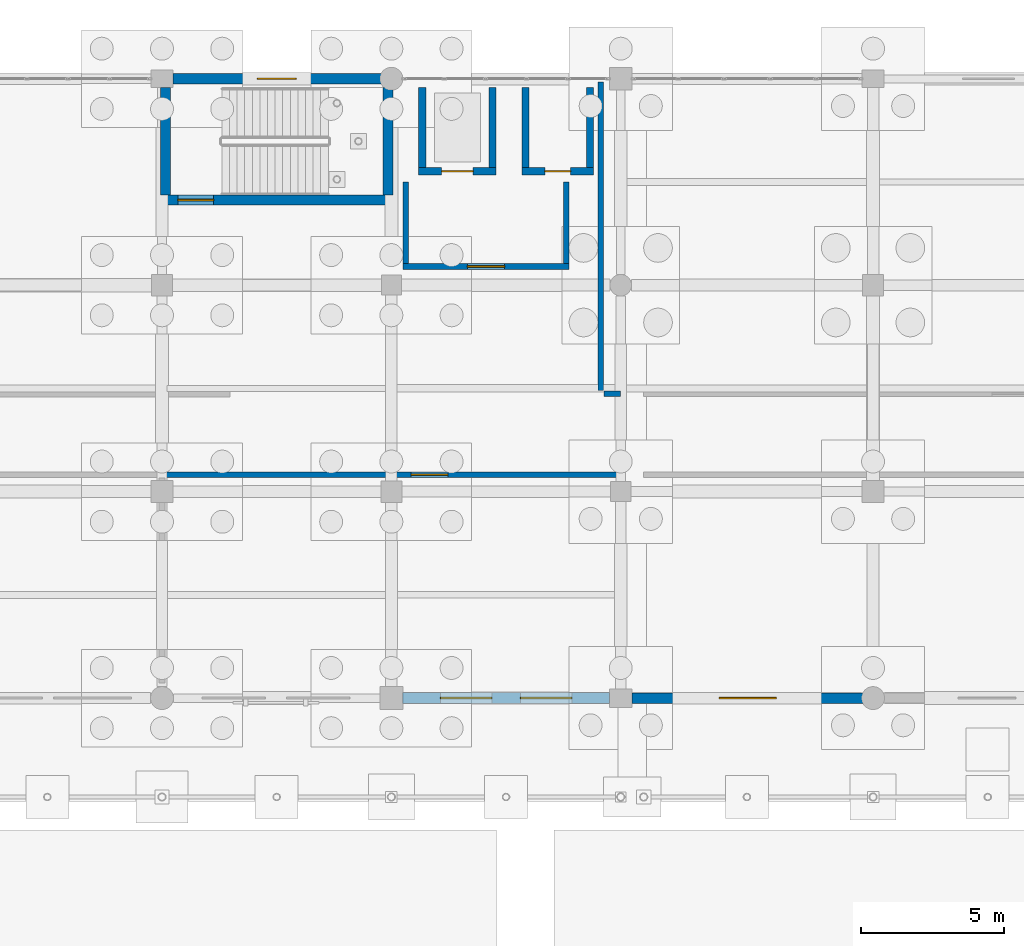
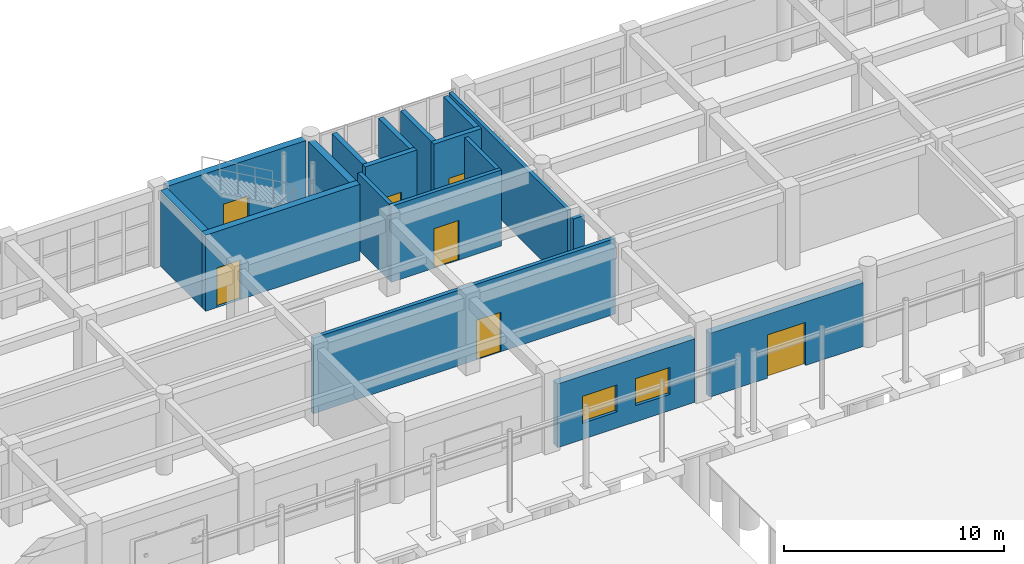
# One storey, part 137 of 166: 18 walls, 7 doors, 2 windows, 9 openings.
"""IFC4 building model written with IfcOpenShell, lengths in metres."""

from ifc_helpers import new_model, si_unit, direction, frame, frame_2d, origin, place, context, subcontext, project, spatial, rectangle, extrude, material, layer, layer_set, type_object, element, fill, save


model = new_model("IFC4")

# Units and contexts
model_context = context("Model", 3, precision=1e-05, world=origin(), true_north=direction((0.0, 1.0)))
body_context = subcontext(model_context, "Body", "Model", "MODEL_VIEW")
ifc_project = project(units=[si_unit("LENGTHUNIT", "METRE"), si_unit("AREAUNIT", "SQUARE_METRE"), si_unit("VOLUMEUNIT", "CUBIC_METRE"), si_unit("PLANEANGLEUNIT", "RADIAN"), si_unit("MASSUNIT", "GRAM", prefix="KILO")], contexts=[model_context])

# Site, building, storey
site_placement = place(None, origin())
site = spatial("IfcSite", under=ifc_project, at=site_placement, CompositionType="ELEMENT")
building_placement = place(site_placement, origin())
building = spatial("IfcBuilding", under=site, at=building_placement, Name="Kharva Crest Polytechnic", CompositionType="ELEMENT")
storey_placement = place(building_placement, origin())
storey = spatial("IfcBuildingStorey", under=building, at=storey_placement, Name="L00", CompositionType="ELEMENT", Elevation=0.0)

# Wall, opening, door
ifc_material_1 = material(Name="Concrete C40/50", Category="concrete")
ifc_layer_1 = layer(ifc_material_1, 0.35009765625, Name="Concrete C40/50")
ifc_layer_set_1 = layer_set([ifc_layer_1], Name="Concrete C40/50")
wall_type_1 = type_object("IfcWallType", Name="WL-CORE-CW1-350", PredefinedType="SHEAR", material=ifc_layer_set_1)
wall_1_placement = place(storey_placement, frame((103.949951171875, 117.764892578125, 0.0), z_axis=(0.0, 0.0, 1.0), x_axis=(1.0, 0.0, 0.0)))
wall_1 = element("IfcWall", 1, at=wall_1_placement, inside=storey, type_object=wall_type_1, Name="L00 North Crest Firefighting Core C4 South Shear Wall", PredefinedType="SHEAR", context=body_context, shape_type="SweptSolid", body=[
    extrude(rectangle(XDim=8.10009765625, YDim=0.35009765625, at=frame_2d((4.050048828125, 0.0))), origin(), (0.0, 0.0, 1.0), 4.219970703125),
])
opening_1_placement = place(wall_1_placement, frame((0.60009765625, 0.0, 0.0)))
opening_1 = element("IfcOpeningElement", 2, at=opening_1_placement, cuts=wall_1, Name="Opening FD1B", PredefinedType="OPENING", context=body_context, shape_type="SweptSolid", body=[
    extrude(rectangle(XDim=1.25, YDim=2.199951171875, at=frame_2d((0.625, 1.10009765625))), frame((0.0, 0.18505859375, 0.0), z_axis=(0.0, -1.0, 0.0), x_axis=(1.0, 0.0, 0.0)), (0.0, 0.0, 1.0), 0.3701171875),
])
ifc_material_2 = material(Name="Teak timber", Category="wood")
door_type_1 = type_object("IfcDoorType", Name="DR-STAIR-1250X2200", OperationType="NOTDEFINED", PredefinedType="DOOR", material=ifc_material_2)
door_1_placement = place(opening_1_placement, origin())
door_1 = element("IfcDoor", 3, at=door_1_placement, inside=storey, type_object=door_type_1, Name="L00 ST-04 Stair Door", OperationType="SINGLE_SWING_LEFT", OverallHeight=2.199951171875, OverallWidth=1.25, PredefinedType="DOOR", context=body_context, shape_type="SweptSolid", body=[
    extrude(rectangle(XDim=1.25, YDim=2.199951171875, at=frame_2d((0.625, 1.10009765625))), frame((0.0, 0.02490234375, 0.0), z_axis=(0.0, -1.0, 0.0), x_axis=(1.0, 0.0, 0.0)), (0.0, 0.0, 1.0), 0.050048828125),
])
fill(opening_1, door_1)

# Walls
for number, where, z_axis, x_axis, name in (
    (4, (104.125, 117.93994140625, 0.0), (0.0, 0.0, 1.0), (0.0, 1.0, 0.0), "L00 North Crest Firefighting Core C4 West Shear Wall"),
    (5, (111.875, 117.93994140625, 0.0), (0.0, 0.0, 1.0), (0.0, 1.0, 0.0), "L00 North Crest Firefighting Core C4 East Shear Wall"),
):
    element("IfcWall", number, at=place(storey_placement, frame(where, z_axis=z_axis, x_axis=x_axis)), inside=storey, type_object=wall_type_1, Name=name, PredefinedType="SHEAR", context=body_context, shape_type="SweptSolid", body=[
        extrude(rectangle(XDim=3.760009765625, YDim=0.35009765625, at=frame_2d((1.8798828125, 0.0))), origin(), (0.0, 0.0, 1.0), 4.219970703125),
    ])

# Wall, opening, door
ifc_material_3 = material(Name="Kiln brick masonry", Category="masonry")
ifc_layer_2 = layer(ifc_material_3, 0.364990234375, Name="Kiln brick masonry")
ifc_layer_set_2 = layer_set([ifc_layer_2], Name="Kiln brick masonry")
wall_type_2 = type_object("IfcWallType", Name="WL-EXT-BRK-365", PredefinedType="SOLIDWALL", material=ifc_layer_set_2)
wall_2_placement = place(storey_placement, frame((120.39501953125, 100.39990234375, 0.0), z_axis=(0.0, 0.0, 1.0), x_axis=(1.0, 0.0, 0.0)))
wall_2 = element("IfcWall", 6, at=wall_2_placement, inside=storey, type_object=wall_type_2, Name="L00 Exterior Brick Wall 89", PredefinedType="SOLIDWALL", context=body_context, shape_type="SweptSolid", body=[
    extrude(rectangle(XDim=8.069091796875, YDim=0.364990234375, at=frame_2d((4.03466796875, 0.0))), origin(), (0.0, 0.0, 1.0), 3.5400390625),
])
opening_2_placement = place(wall_2_placement, frame((3.034912109375, 0.0, 0.0)))
opening_2 = element("IfcOpeningElement", 7, at=opening_2_placement, cuts=wall_2, Name="Opening ED2", PredefinedType="OPENING", context=body_context, shape_type="SweptSolid", body=[
    extrude(rectangle(XDim=2.0, YDim=2.39990234375, at=frame_2d((1.0, 1.199951171875))), frame((0.0, 0.1923828125, 0.0), z_axis=(0.0, -1.0, 0.0), x_axis=(1.0, 0.0, 0.0)), (0.0, 0.0, 1.0), 0.385009765625),
])
ifc_material_4 = material(Name="Anodised aluminium", Category="aluminium")
door_type_2 = type_object("IfcDoorType", Name="DR-EXT-DBL-2000X2400", OperationType="NOTDEFINED", PredefinedType="DOOR", material=ifc_material_4)
door_2_placement = place(opening_2_placement, frame((2.0, 0.0, 0.0), z_axis=(0.0, 0.0, 1.0), x_axis=(-1.0, 0.0, 0.0)))
door_2 = element("IfcDoor", 8, at=door_2_placement, inside=storey, type_object=door_type_2, Name="L00 VER_N_L00 Access Door 20", OperationType="DOUBLE_DOOR_SINGLE_SWING", OverallHeight=2.39990234375, OverallWidth=2.0, PredefinedType="DOOR", context=body_context, shape_type="SweptSolid", body=[
    extrude(rectangle(XDim=2.0, YDim=2.39990234375, at=frame_2d((1.0, 1.199951171875))), frame((0.0, 0.02490234375, 0.0), z_axis=(0.0, -1.0, 0.0), x_axis=(1.0, 0.0, 0.0)), (0.0, 0.0, 1.0), 0.050048828125),
])
fill(opening_2, door_2)

wall_3_placement = place(storey_placement, frame((111.6640625, 122.0, 0.0), z_axis=(0.0, 0.0, 1.0), x_axis=(-1.0, 0.0, 0.0)))
wall_3 = element("IfcWall", 9, at=wall_3_placement, inside=storey, type_object=wall_type_2, Name="L00 Exterior Brick Wall 113", PredefinedType="SOLIDWALL", context=body_context, shape_type="SweptSolid", body=[
    extrude(rectangle(XDim=7.279052734375, YDim=0.364990234375, at=frame_2d((3.6396484375, 0.0))), origin(), (0.0, 0.0, 1.0), 4.219970703125),
])
opening_3_placement = place(wall_3_placement, frame((2.989013671875, 0.0, 0.0)))
opening_3 = element("IfcOpeningElement", 10, at=opening_3_placement, cuts=wall_3, Name="Opening ED6", PredefinedType="OPENING", context=body_context, shape_type="SweptSolid", body=[
    extrude(rectangle(XDim=1.35009765625, YDim=2.199951171875, at=frame_2d((0.675048828125, 1.10009765625))), frame((0.0, 0.1923828125, 0.0), z_axis=(0.0, -1.0, 0.0), x_axis=(1.0, 0.0, 0.0)), (0.0, 0.0, 1.0), 0.385009765625),
])
door_type_3 = type_object("IfcDoorType", Name="DR-EXT-ESC-1350X2200", OperationType="NOTDEFINED", PredefinedType="DOOR", material=ifc_material_4)
door_3_placement = place(opening_3_placement, frame((1.35009765625, 0.0, 0.0), z_axis=(0.0, 0.0, 1.0), x_axis=(-1.0, 0.0, 0.0)))
door_3 = element("IfcDoor", 11, at=door_3_placement, inside=storey, type_object=door_type_3, Name="L00 Core C4 Final Exit Door", OperationType="SINGLE_SWING_RIGHT", OverallHeight=2.199951171875, OverallWidth=1.35009765625, PredefinedType="DOOR", context=body_context, shape_type="SweptSolid", body=[
    extrude(rectangle(XDim=1.35009765625, YDim=2.199951171875, at=frame_2d((0.675048828125, 1.10009765625))), frame((0.0, 0.02490234375, 0.0), z_axis=(0.0, -1.0, 0.0), x_axis=(1.0, 0.0, 0.0)), (0.0, 0.0, 1.0), 0.050048828125),
])
fill(opening_3, door_3)

# Wall, openings, windows
ifc_layer_3 = layer(ifc_material_3, 0.3798828125, Name="Kiln brick masonry")
ifc_layer_set_3 = layer_set([ifc_layer_3], Name="Kiln brick masonry")
wall_type_3 = type_object("IfcWallType", Name="WL-EXT-BRK-380", PredefinedType="SOLIDWALL", material=ifc_layer_set_3)
wall_4_placement = place(storey_placement, frame((112.39501953125, 100.39990234375, 0.0), z_axis=(0.0, 0.0, 1.0), x_axis=(1.0, 0.0, 0.0)))
wall_4 = element("IfcWall", 12, at=wall_4_placement, inside=storey, type_object=wall_type_3, Name="L00 Exterior Brick Wall 88", PredefinedType="SOLIDWALL", context=body_context, shape_type="SweptSolid", body=[
    extrude(rectangle(XDim=7.2099609375, YDim=0.3798828125, at=frame_2d((3.60498046875, 0.0))), origin(), (0.0, 0.0, 1.0), 3.5400390625),
])
opening_4_placement = place(wall_4_placement, frame((1.31005859375, 0.0, 0.89990234375)))
opening_4 = element("IfcOpeningElement", 13, at=opening_4_placement, cuts=wall_4, Name="Opening W13", PredefinedType="OPENING", context=body_context, shape_type="SweptSolid", body=[
    extrude(rectangle(XDim=1.800048828125, YDim=1.5, at=frame_2d((0.89990234375, 0.75))), frame((0.0, 0.199951171875, 0.0), z_axis=(0.0, -1.0, 0.0), x_axis=(1.0, 0.0, 0.0)), (0.0, 0.0, 1.0), 0.39990234375),
])
opening_5_placement = place(wall_4_placement, frame((4.10009765625, 0.0, 0.89990234375)))
opening_5 = element("IfcOpeningElement", 14, at=opening_5_placement, cuts=wall_4, Name="Opening W13", PredefinedType="OPENING", context=body_context, shape_type="SweptSolid", body=[
    extrude(rectangle(XDim=1.800048828125, YDim=1.5, at=frame_2d((0.89990234375, 0.75))), frame((0.0, 0.199951171875, 0.0), z_axis=(0.0, -1.0, 0.0), x_axis=(1.0, 0.0, 0.0)), (0.0, 0.0, 1.0), 0.39990234375),
])
window_type = type_object("IfcWindowType", Name="WIN-ALU-1800X1500", PartitioningType="SINGLE_PANEL", PredefinedType="WINDOW", material=ifc_material_4)
window_1_placement = place(opening_4_placement, origin())
window_1 = element("IfcWindow", 15, at=window_1_placement, inside=storey, type_object=window_type, Name="L00 Exterior Window 108", OverallHeight=1.5, OverallWidth=1.800048828125, PartitioningType="SINGLE_PANEL", PredefinedType="WINDOW", context=body_context, shape_type="SweptSolid", body=[
    extrude(rectangle(XDim=1.800048828125, YDim=1.5, at=frame_2d((0.89990234375, 0.75))), frame((0.0, 0.030029296875, 0.0), z_axis=(0.0, -1.0, 0.0), x_axis=(1.0, 0.0, 0.0)), (0.0, 0.0, 1.0), 0.06005859375),
])
fill(opening_4, window_1)
window_2_placement = place(opening_5_placement, origin())
window_2 = element("IfcWindow", 16, at=window_2_placement, inside=storey, type_object=window_type, Name="L00 Exterior Window 109", OverallHeight=1.5, OverallWidth=1.800048828125, PartitioningType="SINGLE_PANEL", PredefinedType="WINDOW", context=body_context, shape_type="SweptSolid", body=[
    extrude(rectangle(XDim=1.800048828125, YDim=1.5, at=frame_2d((0.89990234375, 0.75))), frame((0.0, 0.030029296875, 0.0), z_axis=(0.0, -1.0, 0.0), x_axis=(1.0, 0.0, 0.0)), (0.0, 0.0, 1.0), 0.06005859375),
])
fill(opening_5, window_2)

# Wall, opening, door
ifc_layer_4 = layer(ifc_material_3, 0.199951171875, Name="Kiln brick masonry")
ifc_layer_set_4 = layer_set([ifc_layer_4], Name="Kiln brick masonry")
wall_type_4 = type_object("IfcWallType", Name="WL-FIRE-FW1-200", PredefinedType="SOLIDWALL", material=ifc_layer_set_4)
wall_5_placement = place(storey_placement, frame((112.39990234375, 115.449951171875, 0.0), z_axis=(0.0, 0.0, 1.0), x_axis=(1.0, 0.0, 0.0)))
wall_5 = element("IfcWall", 17, at=wall_5_placement, inside=storey, type_object=wall_type_4, Name="L00 Firefighting Lobby FL1 South Wall", PredefinedType="SOLIDWALL", context=body_context, shape_type="SweptSolid", body=[
    extrude(rectangle(XDim=5.800048828125, YDim=0.199951171875, at=frame_2d((2.89990234375, 0.0))), origin(), (0.0, 0.0, 1.0), 4.219970703125),
])
opening_6_placement = place(wall_5_placement, frame((2.25, 0.0, 0.0)))
opening_6 = element("IfcOpeningElement", 18, at=opening_6_placement, cuts=wall_5, Name="Opening FD2", PredefinedType="OPENING", context=body_context, shape_type="SweptSolid", body=[
    extrude(rectangle(XDim=1.300048828125, YDim=2.199951171875, at=frame_2d((0.64990234375, 1.10009765625))), frame((0.0, 0.10986328125, 0.0), z_axis=(0.0, -1.0, 0.0), x_axis=(1.0, 0.0, 0.0)), (0.0, 0.0, 1.0), 0.219970703125),
])
door_type_4 = type_object("IfcDoorType", Name="DR-FFLOB-1300X2200", OperationType="NOTDEFINED", PredefinedType="DOOR", material=ifc_material_2)
door_4_placement = place(opening_6_placement, origin())
door_4 = element("IfcDoor", 19, at=door_4_placement, inside=storey, type_object=door_type_4, Name="L00 Firefighting Lobby FL1 Smoke Door", OperationType="SINGLE_SWING_RIGHT", OverallHeight=2.199951171875, OverallWidth=1.300048828125, PredefinedType="DOOR", context=body_context, shape_type="SweptSolid", body=[
    extrude(rectangle(XDim=1.300048828125, YDim=2.199951171875, at=frame_2d((0.64990234375, 1.10009765625))), frame((0.0, 0.02490234375, 0.0), z_axis=(0.0, -1.0, 0.0), x_axis=(1.0, 0.0, 0.0)), (0.0, 0.0, 1.0), 0.050048828125),
])
fill(opening_6, door_4)

# Walls
for number, where, z_axis, x_axis, name in (
    (20, (112.5, 115.550048828125, 0.0), (0.0, 0.0, 1.0), (0.0, 1.0, 0.0), "L00 Firefighting Lobby FL1 West Wall"),
    (21, (118.10009765625, 115.550048828125, 0.0), (0.0, 0.0, 1.0), (0.0, 1.0, 0.0), "L00 Firefighting Lobby FL1 East Wall"),
):
    element("IfcWall", number, at=place(storey_placement, frame(where, z_axis=z_axis, x_axis=x_axis)), inside=storey, type_object=wall_type_4, Name=name, PredefinedType="SOLIDWALL", context=body_context, shape_type="SweptSolid", body=[
        extrude(rectangle(XDim=2.849853515625, YDim=0.199951171875, at=frame_2d((1.4248046875, 0.0))), origin(), (0.0, 0.0, 1.0), 4.219970703125),
    ])

# Wall, opening, door
wall_6_placement = place(storey_placement, frame((104.1201171875, 108.18994140625, 0.0), z_axis=(0.0, 0.0, 1.0), x_axis=(1.0, 0.0, 0.0)))
wall_6 = element("IfcWall", 22, at=wall_6_placement, inside=storey, type_object=wall_type_4, Name="L00 Interior Partition 93 W", PredefinedType="SOLIDWALL", context=body_context, shape_type="SweptSolid", body=[
    extrude(rectangle(XDim=15.8798828125, YDim=0.199951171875, at=frame_2d((7.93994140625, 0.0))), origin(), (0.0, 0.0, 1.0), 4.199951171875),
])
opening_7_placement = place(wall_6_placement, frame((8.570068359375, 0.0, 0.0)))
opening_7 = element("IfcOpeningElement", 23, at=opening_7_placement, cuts=wall_6, Name="Opening ID7", PredefinedType="OPENING", context=body_context, shape_type="SweptSolid", body=[
    extrude(rectangle(XDim=1.280029296875, YDim=2.199951171875, at=frame_2d((0.64013671875, 1.10009765625))), frame((0.0, 0.10986328125, 0.0), z_axis=(0.0, -1.0, 0.0), x_axis=(1.0, 0.0, 0.0)), (0.0, 0.0, 1.0), 0.219970703125),
])
door_type_5 = type_object("IfcDoorType", Name="DR-LAB-1280X2200", OperationType="NOTDEFINED", PredefinedType="DOOR", material=ifc_material_2)
door_5_placement = place(opening_7_placement, origin())
door_5 = element("IfcDoor", 24, at=door_5_placement, inside=storey, type_object=door_type_5, Name="L00 Fluid Mechanics and Hydraulics Laboratory Door", OperationType="SINGLE_SWING_RIGHT", OverallHeight=2.199951171875, OverallWidth=1.280029296875, PredefinedType="DOOR", context=body_context, shape_type="SweptSolid", body=[
    extrude(rectangle(XDim=1.280029296875, YDim=2.199951171875, at=frame_2d((0.64013671875, 1.10009765625))), frame((0.0, 0.02490234375, 0.0), z_axis=(0.0, -1.0, 0.0), x_axis=(1.0, 0.0, 0.0)), (0.0, 0.0, 1.0), 0.050048828125),
])
fill(opening_7, door_5)

# Walls
wall_7_placement = place(storey_placement, frame((119.409912109375, 111.010009765625, 0.0), z_axis=(0.0, 0.0, 1.0), x_axis=(1.0, 0.0, 0.0)))
element("IfcWall", 25, at=wall_7_placement, inside=storey, type_object=wall_type_4, Name="L00 Interior Partition 102 W", PredefinedType="SOLIDWALL", context=body_context, shape_type="SweptSolid", body=[
    extrude(rectangle(XDim=0.590087890625, YDim=0.199951171875, at=frame_2d((0.294921875, 0.0))), origin(), (0.0, 0.0, 1.0), 3.760009765625),
])
ifc_layer_5 = layer(ifc_material_3, 0.18994140625, Name="Kiln brick masonry")
ifc_layer_set_5 = layer_set([ifc_layer_5], Name="Kiln brick masonry")
wall_type_5 = type_object("IfcWallType", Name="WL-PART-190", PredefinedType="PARTITIONING", material=ifc_layer_set_5)
wall_8_placement = place(storey_placement, frame((119.300048828125, 111.1201171875, 0.0), z_axis=(0.0, 0.0, 1.0), x_axis=(0.0, 1.0, 0.0)))
element("IfcWall", 26, at=wall_8_placement, inside=storey, type_object=wall_type_5, Name="L00 Interior Partition 103", PredefinedType="PARTITIONING", context=body_context, shape_type="SweptSolid", body=[
    extrude(rectangle(XDim=10.769775390625, YDim=0.18994140625, at=frame_2d((5.384765625, 0.0))), origin(), (0.0, 0.0, 1.0), 4.199951171875),
])

# Wall, opening, door
ifc_layer_6 = layer(ifc_material_1, 0.25, Name="Concrete C40/50")
ifc_layer_set_6 = layer_set([ifc_layer_6], Name="Concrete C40/50")
wall_type_6 = type_object("IfcWallType", Name="WL-SHEAR-SW1-250", PredefinedType="SHEAR", material=ifc_layer_set_6)
wall_9_placement = place(storey_placement, frame((112.949951171875, 118.77490234375, 0.0), z_axis=(0.0, 0.0, 1.0), x_axis=(1.0, 0.0, 0.0)))
wall_9 = element("IfcWall", 27, at=wall_9_placement, inside=storey, type_object=wall_type_6, Name="L00 Lift FL1 South Shaft Wall", PredefinedType="SHEAR", context=body_context, shape_type="SweptSolid", body=[
    extrude(rectangle(XDim=2.699951171875, YDim=0.25, at=frame_2d((1.35009765625, 0.0))), origin(), (0.0, 0.0, 1.0), 4.219970703125),
])
opening_8_placement = place(wall_9_placement, frame((0.800048828125, 0.0, 0.0)))
opening_8 = element("IfcOpeningElement", 28, at=opening_8_placement, cuts=wall_9, Name="Opening LD1", PredefinedType="OPENING", context=body_context, shape_type="SweptSolid", body=[
    extrude(rectangle(XDim=1.10009765625, YDim=2.14990234375, at=frame_2d((0.550048828125, 1.074951171875))), frame((0.0, 0.135009765625, 0.0), z_axis=(0.0, -1.0, 0.0), x_axis=(1.0, 0.0, 0.0)), (0.0, 0.0, 1.0), 0.27001953125),
])
door_type_6 = type_object("IfcDoorType", Name="DR-LIFT-LD1-1100X2150", OperationType="SLIDING_TO_LEFT", PredefinedType="DOOR", material=ifc_material_4)
door_6_placement = place(opening_8_placement, origin())
door_6 = element("IfcDoor", 29, at=door_6_placement, inside=storey, type_object=door_type_6, Name="L00 Lift FL1 Sliding Landing Door", OperationType="SLIDING_TO_LEFT", OverallHeight=2.14990234375, OverallWidth=1.10009765625, PredefinedType="DOOR", context=body_context, shape_type="SweptSolid", body=[
    extrude(rectangle(XDim=1.10009765625, YDim=2.14990234375, at=frame_2d((0.550048828125, 1.074951171875))), frame((0.0, 0.02490234375, 0.0), z_axis=(0.0, -1.0, 0.0), x_axis=(1.0, 0.0, 0.0)), (0.0, 0.0, 1.0), 0.050048828125),
])
fill(opening_8, door_6)

# Walls
for number, where, z_axis, x_axis, name in (
    (30, (113.074951171875, 118.89990234375, 0.0), (0.0, 0.0, 1.0), (0.0, 1.0, 0.0), "L00 Lift FL1 West Shaft Wall"),
    (31, (115.52490234375, 118.89990234375, 0.0), (0.0, 0.0, 1.0), (0.0, 1.0, 0.0), "L00 Lift FL1 East Shaft Wall"),
):
    element("IfcWall", number, at=place(storey_placement, frame(where, z_axis=z_axis, x_axis=x_axis)), inside=storey, type_object=wall_type_6, Name=name, PredefinedType="SHEAR", context=body_context, shape_type="SweptSolid", body=[
        extrude(rectangle(XDim=2.800048828125, YDim=0.25, at=frame_2d((1.39990234375, 0.0))), origin(), (0.0, 0.0, 1.0), 4.219970703125),
    ])

# Wall, opening, door
wall_10_placement = place(storey_placement, frame((116.550048828125, 118.77490234375, 0.0), z_axis=(0.0, 0.0, 1.0), x_axis=(1.0, 0.0, 0.0)))
wall_10 = element("IfcWall", 32, at=wall_10_placement, inside=storey, type_object=wall_type_6, Name="L00 Core C4 Riser South Wall", PredefinedType="SHEAR", context=body_context, shape_type="SweptSolid", body=[
    extrude(rectangle(XDim=2.5, YDim=0.25, at=frame_2d((1.25, 0.0))), origin(), (0.0, 0.0, 1.0), 4.219970703125),
])
opening_9_placement = place(wall_10_placement, frame((0.800048828125, 0.0, 0.0)))
opening_9 = element("IfcOpeningElement", 33, at=opening_9_placement, cuts=wall_10, Name="Opening FD3", PredefinedType="OPENING", context=body_context, shape_type="SweptSolid", body=[
    extrude(rectangle(XDim=0.89990234375, YDim=2.050048828125, at=frame_2d((0.449951171875, 1.02490234375))), frame((0.0, 0.135009765625, 0.0), z_axis=(0.0, -1.0, 0.0), x_axis=(1.0, 0.0, 0.0)), (0.0, 0.0, 1.0), 0.27001953125),
])
door_type_7 = type_object("IfcDoorType", Name="DR-RISER-900X2050", OperationType="NOTDEFINED", PredefinedType="DOOR", material=ifc_material_4)
door_7_placement = place(opening_9_placement, origin())
door_7 = element("IfcDoor", 34, at=door_7_placement, inside=storey, type_object=door_type_7, Name="L00 Core C4 Riser Access Door", OperationType="SINGLE_SWING_LEFT", OverallHeight=2.050048828125, OverallWidth=0.89990234375, PredefinedType="DOOR", context=body_context, shape_type="SweptSolid", body=[
    extrude(rectangle(XDim=0.89990234375, YDim=2.050048828125, at=frame_2d((0.449951171875, 1.02490234375))), frame((0.0, 0.02490234375, 0.0), z_axis=(0.0, -1.0, 0.0), x_axis=(1.0, 0.0, 0.0)), (0.0, 0.0, 1.0), 0.050048828125),
])
fill(opening_9, door_7)

# Walls
for number, where, z_axis, x_axis, name in (
    (35, (116.675048828125, 118.89990234375, 0.0), (0.0, 0.0, 1.0), (0.0, 1.0, 0.0), "L00 Core C4 Riser West Wall"),
    (36, (118.925048828125, 118.89990234375, 0.0), (0.0, 0.0, 1.0), (0.0, 1.0, 0.0), "L00 Core C4 Riser East Wall"),
):
    element("IfcWall", number, at=place(storey_placement, frame(where, z_axis=z_axis, x_axis=x_axis)), inside=storey, type_object=wall_type_6, Name=name, PredefinedType="SHEAR", context=body_context, shape_type="SweptSolid", body=[
        extrude(rectangle(XDim=2.800048828125, YDim=0.25, at=frame_2d((1.39990234375, 0.0))), origin(), (0.0, 0.0, 1.0), 4.219970703125),
    ])

save(model, "model.ifc")
